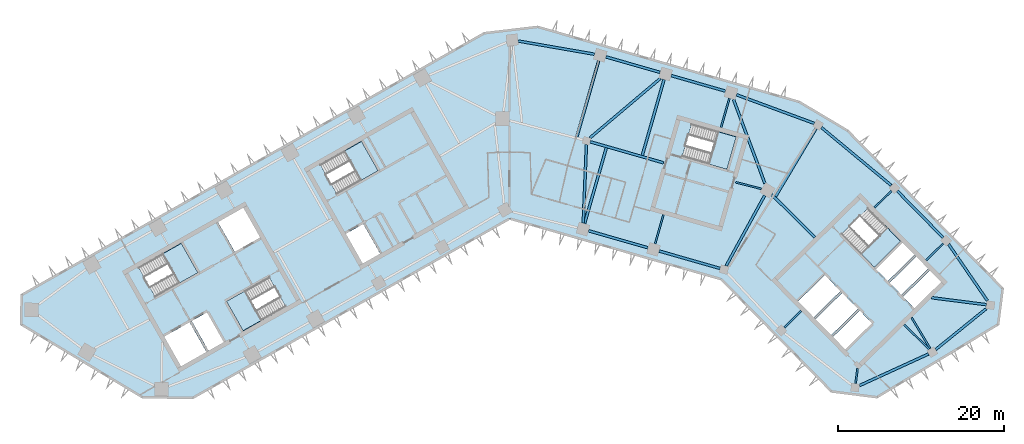
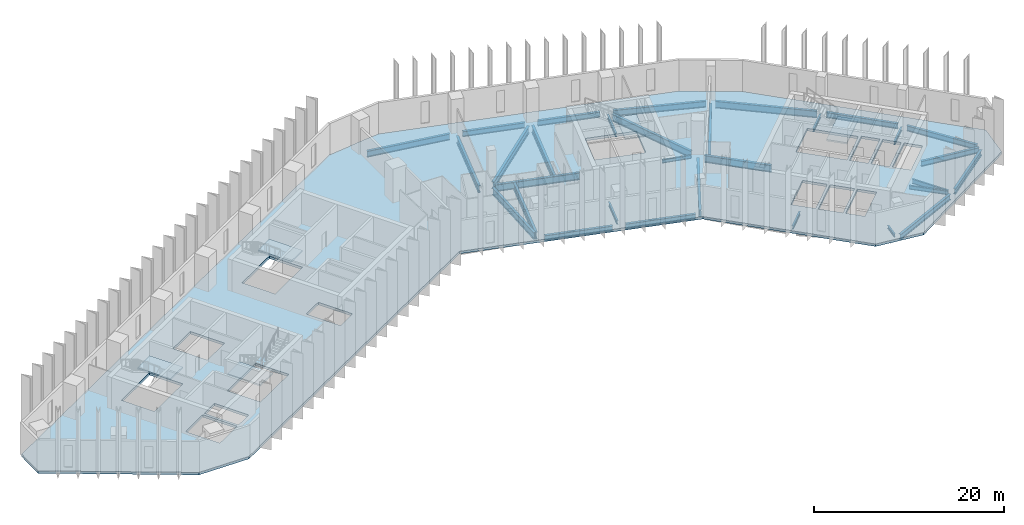
# One storey, part 2 of 11: 31 beams, 6 slabs, 5 elements without a shape of their own.
"""IFC4 building model written with IfcOpenShell, lengths in metres."""

import ifcopenshell
import ifcopenshell.guid

model = None  # the IFC model being written
_history = None  # IfcOwnerHistory: only IFC2X3 demands one
_inside = {}  # id of a spatial element -> (the spatial element, [elements in it])
_under = {}  # id of a project, library or spatial element -> (it, [spatial elements below it])
_declared = {}  # id of a project -> (the project, [libraries it declares])
_typed = {}  # id of a type object -> (the type object, [elements of that type])
_made_of = {}  # id of a material, layer set ... -> (it, [elements and type objects made of it])


def new_model(schema):
    """Start an empty IFC model of exactly this schema.

    Asked for "IFC4X3", IfcOpenShell would pick the latest addendum, in which some entities
    have other attributes; the version numbers below select the first issue.
    IFC2X3 requires an IfcOwnerHistory on every rooted entity: one is made here for all.
    """
    global model, _history
    if schema == "IFC4X3":
        model = ifcopenshell.file(schema_version=(4, 3, 0, 0))
    else:
        model = ifcopenshell.file(schema=schema)
    _inside.clear()
    _under.clear()
    _declared.clear()
    _typed.clear()
    _made_of.clear()
    _history = None
    if model.schema == "IFC2X3":
        org = make("IfcOrganization", Name="unknown")
        user = make(
            "IfcPersonAndOrganization",
            ThePerson=make("IfcPerson", FamilyName="unknown"),
            TheOrganization=org,
        )
        app = make(
            "IfcApplication",
            ApplicationDeveloper=org,
            Version="unknown",
            ApplicationFullName="unknown",
            ApplicationIdentifier="unknown",
        )
        _history = make(
            "IfcOwnerHistory",
            OwningUser=user,
            OwningApplication=app,
            ChangeAction="ADDED",
            CreationDate=0,
        )
    return model


def make(cls, **values):
    """One entity of the class cls with the attributes given. An attribute that is None is left unset."""
    return model.create_entity(
        cls, **{name: value for name, value in values.items() if value is not None}
    )


def rooted(cls, **values):
    """An entity with a GlobalId (a new one), such as an element, a storey or a relation."""
    return make(cls, GlobalId=ifcopenshell.guid.new(), OwnerHistory=_history, **values)


def si_unit(unit_type, name, prefix=None):
    """IfcSIUnit, for example si_unit("LENGTHUNIT", "METRE", prefix="MILLI")."""
    return make("IfcSIUnit", UnitType=unit_type, Prefix=prefix, Name=name)


def assignment(units):
    """IfcUnitAssignment: the units of a project."""
    return None if units is None else make("IfcUnitAssignment", Units=units)


def point(xyz):
    """IfcCartesianPoint."""
    return None if xyz is None else make("IfcCartesianPoint", Coordinates=xyz)


def direction(xyz):
    """IfcDirection."""
    return None if xyz is None else make("IfcDirection", DirectionRatios=xyz)


def frame(location, z_axis=None, x_axis=None):
    """IfcAxis2Placement3D, a coordinate frame: its origin and axes. An axis left out is left unset."""
    return make(
        "IfcAxis2Placement3D",
        Location=point(location),
        Axis=direction(z_axis),
        RefDirection=direction(x_axis),
    )


def frame_2d(location, x_axis=None):
    """IfcAxis2Placement2D, a coordinate frame in the plane: its origin and x axis."""
    return make(
        "IfcAxis2Placement2D", Location=point(location), RefDirection=direction(x_axis)
    )


def origin():
    """The frame at (0, 0, 0) with its axes left unset."""
    return frame((0.0, 0.0, 0.0))


def origin_2d():
    """The frame at (0, 0) in the plane with its x axis left unset."""
    return frame_2d((0.0, 0.0))


def place(relative_to, where):
    """IfcLocalPlacement: puts the frame where relative to a parent placement (None: the world)."""
    return make(
        "IfcLocalPlacement", PlacementRelTo=relative_to, RelativePlacement=where
    )


def context(
    kind, dimensions, precision=None, world=None, true_north=None, identifier=None
):
    """IfcGeometricRepresentationContext, for example the 3D "Model" context."""
    return make(
        "IfcGeometricRepresentationContext",
        ContextIdentifier=identifier,
        ContextType=kind,
        CoordinateSpaceDimension=dimensions,
        Precision=precision,
        WorldCoordinateSystem=world,
        TrueNorth=true_north,
    )


def subcontext(parent, identifier, kind, view, scale=None):
    """IfcGeometricRepresentationSubContext, for example "Body" below "Model"."""
    return make(
        "IfcGeometricRepresentationSubContext",
        ContextIdentifier=identifier,
        ContextType=kind,
        ParentContext=parent,
        TargetScale=scale,
        TargetView=view,
    )


def project(units=None, contexts=None):
    """IfcProject with its units and contexts."""
    return rooted(
        "IfcProject",
        Name="project",
        RepresentationContexts=contexts,
        UnitsInContext=assignment(units),
    )


def spatial(cls, under=None, at=None, **own):
    """A site, building, storey or space (cls), placed at a placement, below another one or the project."""
    s = rooted(cls, ObjectPlacement=at, **own)
    if under is not None:
        _under.setdefault(under.id(), (under, []))[1].append(s)
    return s


def polyline(points):
    """IfcPolyline through the points."""
    return make("IfcPolyline", Points=[point(p) for p in points])


def profile(cls, at=None, kind="AREA", **sizes):
    """A parametric profile (cls). Its sizes go by their IFC names, for example OverallWidth=200.0."""
    return make(cls, ProfileType=kind, Position=at, **sizes)


def i_section(**sizes):
    """IfcIShapeProfileDef."""
    return profile("IfcIShapeProfileDef", **sizes)


def outline(outer, holes=None, kind="AREA"):
    """IfcArbitraryClosedProfileDef: a profile drawn as a closed curve; with holes, ...WithVoids."""
    if holes is None:
        return make("IfcArbitraryClosedProfileDef", ProfileType=kind, OuterCurve=outer)
    return make(
        "IfcArbitraryProfileDefWithVoids",
        ProfileType=kind,
        OuterCurve=outer,
        InnerCurves=holes,
    )


def extrude(swept, where, along, depth):
    """IfcExtrudedAreaSolid: the profile swept, set in the frame where, extruded along a direction by depth."""
    return make(
        "IfcExtrudedAreaSolid",
        SweptArea=swept,
        Position=where,
        ExtrudedDirection=direction(along),
        Depth=depth,
    )


def shape(context_of_items, identifier, shape_type, items):
    """IfcShapeRepresentation: the items that make up one representation, for example the "Body"."""
    return make(
        "IfcShapeRepresentation",
        ContextOfItems=context_of_items,
        RepresentationIdentifier=identifier,
        RepresentationType=shape_type,
        Items=items,
    )


def material(Name=None, Category=None):
    """IfcMaterial."""
    return make("IfcMaterial", Name=Name, Category=Category)


def layer(
    of_material, thickness, ventilated=None, Name=None, Category=None, Priority=None
):
    """IfcMaterialLayer: one layer of a wall or slab, of a material (None: an air gap)."""
    return make(
        "IfcMaterialLayer",
        Material=of_material,
        LayerThickness=thickness,
        IsVentilated=ventilated,
        Name=Name,
        Category=Category,
        Priority=Priority,
    )


def layer_set(layers, Name=None):
    """IfcMaterialLayerSet."""
    return make("IfcMaterialLayerSet", MaterialLayers=layers, LayerSetName=Name)


def material_profile(
    of_material, cross_section, Name=None, Category=None, Priority=None
):
    """IfcMaterialProfile: a cross section and its material."""
    return make(
        "IfcMaterialProfile",
        Name=Name,
        Material=of_material,
        Profile=cross_section,
        Priority=Priority,
        Category=Category,
    )


def profile_set(profiles, Name=None, composite=None):
    """IfcMaterialProfileSet."""
    return make(
        "IfcMaterialProfileSet",
        Name=Name,
        MaterialProfiles=profiles,
        CompositeProfile=composite,
    )


def made_of(thing, what):
    """Note that an element or type object is made of a material, layer set ...; save() writes the relation."""
    if what is not None:
        _made_of.setdefault(what.id(), (what, []))[1].append(thing)
    return thing


def type_object(cls, material=None, **own):
    """A type object (cls), such as IfcWallType, which elements share."""
    return made_of(rooted(cls, **own), material)


def element(
    cls,
    number,
    at=None,
    inside=None,
    cuts=None,
    type_object=None,
    material=None,
    context=None,
    identifier="Body",
    shape_type=None,
    held_by="IfcProductDefinitionShape",
    body=None,
    shapes=None,
    **own,
):
    """One element of the class cls, such as IfcWall. Its Tag is "e" and its number.

    at: its placement. inside: the storey or other place that contains it. cuts: it is an
    opening in that element (IfcRelVoidsElement). A single representation is given by context,
    identifier, shape_type and body (its items); several are given by shapes. held_by: the class
    of the entity that holds the representations. save() writes the other relations.
    """
    e = rooted(cls, Tag="e%d" % number, ObjectPlacement=at, **own)
    if body is not None:
        shapes = [shape(context, identifier, shape_type, body)]
    if shapes is not None:
        e.Representation = make(held_by, Representations=shapes)
    if inside is not None:
        _inside.setdefault(inside.id(), (inside, []))[1].append(e)
    if cuts is not None:
        rooted(
            "IfcRelVoidsElement", RelatingBuildingElement=cuts, RelatedOpeningElement=e
        )
    if type_object is not None:
        _typed.setdefault(type_object.id(), (type_object, []))[1].append(e)
    return made_of(e, material)


def aggregate(whole, parts):
    """IfcRelAggregates: a whole, such as a stair, and the parts it consists of."""
    return rooted("IfcRelAggregates", RelatingObject=whole, RelatedObjects=parts)


def save(model, path):
    """Write the relations noted so far, then the file.

    IfcRelAggregates (storeys below a building ...), IfcRelContainedInSpatialStructure (elements
    in a storey), IfcRelDefinesByType, IfcRelAssociatesMaterial and IfcRelDeclares: one each for
    every whole, place, type object, material and project.
    """
    for whole, parts in _under.values():
        aggregate(whole, parts)
    for where, things in _inside.values():
        rooted(
            "IfcRelContainedInSpatialStructure",
            RelatedElements=things,
            RelatingStructure=where,
        )
    for kind, things in _typed.values():
        rooted("IfcRelDefinesByType", RelatedObjects=things, RelatingType=kind)
    for what, things in _made_of.values():
        rooted("IfcRelAssociatesMaterial", RelatedObjects=things, RelatingMaterial=what)
    for by, libraries in _declared.values():
        rooted("IfcRelDeclares", RelatingContext=by, RelatedDefinitions=libraries)
    model.write(path)


model = new_model("IFC4")

# Units and contexts
model_context = context("Model", 3, precision=1e-05, world=origin(), true_north=direction((0.0, 1.0)))
body_context = subcontext(model_context, "Body", "Model", "MODEL_VIEW")
ifc_project = project(units=[si_unit("LENGTHUNIT", "METRE"), si_unit("AREAUNIT", "SQUARE_METRE"), si_unit("VOLUMEUNIT", "CUBIC_METRE"), si_unit("PLANEANGLEUNIT", "RADIAN"), si_unit("MASSUNIT", "GRAM", prefix="KILO")], contexts=[model_context])

# Site, building, storey
site_placement = place(None, origin())
site = spatial("IfcSite", under=ifc_project, at=site_placement, CompositionType="ELEMENT")
building_placement = place(site_placement, origin())
building = spatial("IfcBuilding", under=site, at=building_placement, Name="Binnacle Exchange Tower", CompositionType="ELEMENT")
storey_placement = place(building_placement, frame((0.0, 0.0, 114.699951171875)))
storey = spatial("IfcBuildingStorey", under=building, at=storey_placement, Name="L23", CompositionType="ELEMENT", Elevation=114.699951171875)

# Beams
ifc_material_1 = material(Name="Steel S355 (SHN355)", Category="steel")
ifc_material_profile_1 = material_profile(ifc_material_1, i_section(OverallWidth=0.300048828125, OverallDepth=0.699951171875, WebThickness=0.012939453125, FlangeThickness=0.02392578125, FilletRadius=0.028076171875, at=origin_2d()), Name="H 700x300x13x24")
ifc_profile_set_1 = profile_set([ifc_material_profile_1], Name="Steel S355 (SHN355)")
beam_type_1 = type_object("IfcBeamType", Name="Edge girder H 700x300x13x24 Steel S355 (SHN355)", PredefinedType="SPANDREL", material=ifc_profile_set_1)
beam_1_placement = place(storey_placement, frame((9.482421875, 46.529296875, -0.669921875), z_axis=(0.961257800717, -0.275650939705, 0.0), x_axis=(0.275650939705, 0.961257800717, 0.0)))
element("IfcBeam", 1, at=beam_1_placement, inside=storey, type_object=beam_type_1, Name="S:BM:edge:L23:030", PredefinedType="SPANDREL", context=body_context, shape_type="SweptSolid", body=[
    extrude(i_section(OverallWidth=0.300048828125, OverallDepth=0.699951171875, WebThickness=0.012939453125, FlangeThickness=0.02392578125, FilletRadius=0.028076171875, at=origin_2d()), origin(), (0.0, 0.0, 1.0), 7.42041015625),
])
beam_2_placement = place(storey_placement, frame((17.961181640625, 44.09814453125, -0.669921875), z_axis=(0.961257524102, -0.275651904325, 0.0), x_axis=(0.275651904325, 0.961257524102, 0.0)))
element("IfcBeam", 2, at=beam_2_placement, inside=storey, type_object=beam_type_1, Name="S:BM:edge:L23:032", PredefinedType="SPANDREL", context=body_context, shape_type="SweptSolid", body=[
    extrude(i_section(OverallWidth=0.300048828125, OverallDepth=0.699951171875, WebThickness=0.012939453125, FlangeThickness=0.02392578125, FilletRadius=0.028076171875, at=origin_2d()), origin(), (0.0, 0.0, 1.0), 7.620361328125),
])
for number, where, z_axis, x_axis, name in (
    (3, (18.073486328125, 65.569091796875, -0.669921875), (-0.961258249907, 0.275649373272, 0.0), (-0.275649373272, -0.961258249907, 0.0), "S:BM:edge:L23:033"),
    (4, (25.9296875, 63.31640625, -0.669921875), (-0.961258249907, 0.275649373272, 0.0), (-0.275649373272, -0.961258249907, 0.0), "S:BM:edge:L23:034"),
):
    element("IfcBeam", number, at=place(storey_placement, frame(where, z_axis=z_axis, x_axis=x_axis)), inside=storey, type_object=beam_type_1, Name=name, PredefinedType="SPANDREL", context=body_context, shape_type="SweptSolid", body=[
        extrude(i_section(OverallWidth=0.300048828125, OverallDepth=0.699951171875, WebThickness=0.012939453125, FlangeThickness=0.02392578125, FilletRadius=0.028076171875, at=origin_2d()), origin(), (0.0, 0.0, 1.0), 6.77294921875),
    ])
beam_3_placement = place(storey_placement, frame((51.20458984375, 32.248291015625, -0.669921875), z_axis=(0.777570349394, 0.628795953981, 0.0), x_axis=(-0.628795953981, 0.777570349394, 0.0)))
element("IfcBeam", 5, at=beam_3_placement, inside=storey, type_object=beam_type_1, Name="S:BM:edge:L23:040", PredefinedType="SPANDREL", context=body_context, shape_type="SweptSolid", body=[
    extrude(i_section(OverallWidth=0.300048828125, OverallDepth=0.699951171875, WebThickness=0.012939453125, FlangeThickness=0.02392578125, FilletRadius=0.028076171875, at=origin_2d()), origin(), (0.0, 0.0, 1.0), 7.788330078125),
])
beam_4_placement = place(storey_placement, frame((52.1162109375, 45.69580078125, -0.669921875), z_axis=(-0.700892629455, 0.713266795789, 0.0), x_axis=(-0.713266795789, -0.700892629455, 0.0)))
element("IfcBeam", 6, at=beam_4_placement, inside=storey, type_object=beam_type_1, Name="S:BM:edge:L23:041", PredefinedType="SPANDREL", context=body_context, shape_type="SweptSolid", body=[
    extrude(i_section(OverallWidth=0.300048828125, OverallDepth=0.699951171875, WebThickness=0.012939453125, FlangeThickness=0.02392578125, FilletRadius=0.028076171875, at=origin_2d()), origin(), (0.0, 0.0, 1.0), 7.872314453125),
])
beam_5_placement = place(storey_placement, frame((57.41943359375, 38.13330078125, -0.669921875), z_axis=(-0.566410561214, 0.824123216604, 0.0), x_axis=(-0.824123216604, -0.566410561214, 0.0)))
element("IfcBeam", 7, at=beam_5_placement, inside=storey, type_object=beam_type_1, Name="S:BM:edge:L23:042", PredefinedType="SPANDREL", context=body_context, shape_type="SweptSolid", body=[
    extrude(i_section(OverallWidth=0.300048828125, OverallDepth=0.699951171875, WebThickness=0.012939453125, FlangeThickness=0.02392578125, FilletRadius=0.028076171875, at=origin_2d()), origin(), (0.0, 0.0, 1.0), 8.236083984375),
])
ifc_material_profile_2 = material_profile(ifc_material_1, i_section(OverallWidth=0.302001953125, OverallDepth=0.7080078125, WebThickness=0.014892578125, FlangeThickness=0.028076171875, FilletRadius=0.028076171875, at=origin_2d()), Name="H 708x302x15x28")
ifc_profile_set_2 = profile_set([ifc_material_profile_2], Name="Steel S355 (SHN355)")
beam_type_2 = type_object("IfcBeamType", Name="Edge girder H 708x302x15x28 Steel S355 (SHN355)", PredefinedType="SPANDREL", material=ifc_profile_set_2)
beam_6_placement = place(storey_placement, frame((42.054931640625, 27.919921875, -0.674072265625), z_axis=(0.909166515566, 0.41643276405, 0.0), x_axis=(-0.41643276405, 0.909166515566, 0.0)))
element("IfcBeam", 8, at=beam_6_placement, inside=storey, type_object=beam_type_2, Name="S:BM:edge:L23:038", PredefinedType="SPANDREL", context=body_context, shape_type="SweptSolid", body=[
    extrude(i_section(OverallWidth=0.302001953125, OverallDepth=0.7080078125, WebThickness=0.014892578125, FlangeThickness=0.028076171875, FilletRadius=0.028076171875, at=origin_2d()), origin(), (0.0, 0.0, 1.0), 9.128662109375),
])
ifc_material_profile_3 = material_profile(ifc_material_1, i_section(OverallWidth=0.300048828125, OverallDepth=0.800048828125, WebThickness=0.013916015625, FlangeThickness=0.02587890625, FilletRadius=0.028076171875, at=origin_2d()), Name="H 800x300x14x26")
ifc_profile_set_3 = profile_set([ifc_material_profile_3], Name="Steel S355 (SHN355)")
beam_type_3 = type_object("IfcBeamType", Name="Edge girder H 800x300x14x26 Steel S355 (SHN355)", PredefinedType="SPANDREL", material=ifc_profile_set_3)
beam_7_placement = place(storey_placement, frame((10.1962890625, 67.749267578125, -0.719970703125), z_axis=(-0.985312784176, 0.170759237931, 0.0), x_axis=(-0.170759237931, -0.985312784176, 0.0)))
element("IfcBeam", 9, at=beam_7_placement, inside=storey, type_object=beam_type_3, Name="S:BM:edge:L23:031", PredefinedType="SPANDREL", context=body_context, shape_type="SweptSolid", body=[
    extrude(i_section(OverallWidth=0.300048828125, OverallDepth=0.800048828125, WebThickness=0.013916015625, FlangeThickness=0.02587890625, FilletRadius=0.028076171875, at=origin_2d()), origin(), (0.0, 0.0, 1.0), 9.313232421875),
])
ifc_material_profile_4 = material_profile(ifc_material_1, i_section(OverallWidth=0.302001953125, OverallDepth=0.80810546875, WebThickness=0.01611328125, FlangeThickness=0.030029296875, FilletRadius=0.028076171875, at=origin_2d()), Name="H 808x302x16x30")
ifc_profile_set_4 = profile_set([ifc_material_profile_4], Name="Steel S355 (SHN355)")
beam_type_4 = type_object("IfcBeamType", Name="Edge girder H 808x302x16x30 Steel S355 (SHN355)", PredefinedType="SPANDREL", material=ifc_profile_set_4)
beam_8_placement = place(storey_placement, frame((36.60791015625, 59.438232421875, -0.723876953125), z_axis=(-0.938371988478, 0.3456269828, 0.0), x_axis=(-0.3456269828, -0.938371988478, 0.0)))
element("IfcBeam", 10, at=beam_8_placement, inside=storey, type_object=beam_type_4, Name="S:BM:edge:L23:037", PredefinedType="SPANDREL", context=body_context, shape_type="SweptSolid", body=[
    extrude(i_section(OverallWidth=0.302001953125, OverallDepth=0.80810546875, WebThickness=0.01611328125, FlangeThickness=0.030029296875, FilletRadius=0.028076171875, at=origin_2d()), origin(), (0.0, 0.0, 1.0), 9.96044921875),
])
ifc_material_profile_5 = material_profile(ifc_material_1, i_section(OverallWidth=0.300048828125, OverallDepth=0.89990234375, WebThickness=0.01611328125, FlangeThickness=0.028076171875, FilletRadius=0.028076171875, at=origin_2d()), Name="H 900x300x16x28")
ifc_profile_set_5 = profile_set([ifc_material_profile_5], Name="Steel S355 (SHN355)")
beam_type_5 = type_object("IfcBeamType", Name="Edge girder H 900x300x16x28 Steel S355 (SHN355)", PredefinedType="SPANDREL", material=ifc_profile_set_5)
beam_9_placement = place(storey_placement, frame((45.861083984375, 51.988037109375, -0.77001953125), z_axis=(-0.769903256509, 0.63816061898, 0.0), x_axis=(-0.63816061898, -0.769903256509, 0.0)))
element("IfcBeam", 11, at=beam_9_placement, inside=storey, type_object=beam_type_5, Name="S:BM:edge:L23:039", PredefinedType="SPANDREL", context=body_context, shape_type="SweptSolid", body=[
    extrude(i_section(OverallWidth=0.300048828125, OverallDepth=0.89990234375, WebThickness=0.01611328125, FlangeThickness=0.028076171875, FilletRadius=0.028076171875, at=origin_2d()), origin(), (0.0, 0.0, 1.0), 10.892822265625),
])
ifc_material_profile_6 = material_profile(ifc_material_1, i_section(OverallWidth=0.199951171875, OverallDepth=0.39990234375, WebThickness=0.008056640625, FlangeThickness=0.012939453125, FilletRadius=0.01611328125, at=origin_2d()), Name="H 400x200x8x13")
ifc_profile_set_6 = profile_set([ifc_material_profile_6], Name="Steel S355 (SHN355)")
beam_type_6 = type_object("IfcBeamType", Name="Floor beam H 400x200x8x13 Steel S355 (SHN355)", PredefinedType="BEAM", material=ifc_profile_set_6)
beam_10_placement = place(storey_placement, frame((41.582763671875, 28.1708984375, -0.52001953125), z_axis=(0.12626620762, 0.991996393549, 0.0), x_axis=(-0.991996393549, 0.12626620762, 0.0)))
element("IfcBeam", 12, at=beam_10_placement, inside=storey, type_object=beam_type_6, Name="S:BM:cross:L23:063", PredefinedType="BEAM", context=body_context, shape_type="SweptSolid", body=[
    extrude(i_section(OverallWidth=0.199951171875, OverallDepth=0.39990234375, WebThickness=0.008056640625, FlangeThickness=0.012939453125, FilletRadius=0.01611328125, at=origin_2d()), origin(), (0.0, 0.0, 1.0), 1.8310546875),
])
ifc_material_profile_7 = material_profile(ifc_material_1, i_section(OverallWidth=0.199951171875, OverallDepth=0.449951171875, WebThickness=0.009033203125, FlangeThickness=0.013916015625, FilletRadius=0.01806640625, at=origin_2d()), Name="H 450x200x9x14")
ifc_profile_set_7 = profile_set([ifc_material_profile_7], Name="Steel S355 (SHN355)")
beam_type_7 = type_object("IfcBeamType", Name="Floor beam H 450x200x9x14 Steel S355 (SHN355)", PredefinedType="BEAM", material=ifc_profile_set_7)
for number, where, z_axis, x_axis, name in (
    (13, (32.997802734375, 34.880615234375, -0.544921875), (0.713272005304, 0.700887327928, 0.0), (-0.700887327928, 0.713272005304, 0.0), "S:BM:cross:L23:061"),
    (14, (45.8916015625, 51.31689453125, -0.544921875), (-0.713272005304, -0.700887327928, 0.0), (0.700887327928, -0.713272005304, 0.0), "S:BM:cross:L23:064"),
    (15, (52.110107421875, 44.98876953125, -0.544921875), (-0.713272005304, -0.700887327928, 0.0), (0.700887327928, -0.713272005304, 0.0), "S:BM:cross:L23:066"),
):
    element("IfcBeam", number, at=place(storey_placement, frame(where, z_axis=z_axis, x_axis=x_axis)), inside=storey, type_object=beam_type_7, Name=name, PredefinedType="BEAM", context=body_context, shape_type="SweptSolid", body=[
        extrude(i_section(OverallWidth=0.199951171875, OverallDepth=0.449951171875, WebThickness=0.009033203125, FlangeThickness=0.013916015625, FilletRadius=0.01806640625, at=origin_2d()), origin(), (0.0, 0.0, 1.0), 2.8583984375),
    ])
ifc_material_profile_8 = material_profile(ifc_material_1, i_section(OverallWidth=0.200927734375, OverallDepth=0.506103515625, WebThickness=0.010986328125, FlangeThickness=0.01904296875, FilletRadius=0.02001953125, at=origin_2d()), Name="H 506x201x11x19")
ifc_profile_set_8 = profile_set([ifc_material_profile_8], Name="Steel S355 (SHN355)")
beam_type_8 = type_object("IfcBeamType", Name="Floor beam H 506x201x11x19 Steel S355 (SHN355)", PredefinedType="BEAM", material=ifc_profile_set_8)
beam_11_placement = place(storey_placement, frame((17.481201171875, 44.964111328125, -0.572998046875), z_axis=(0.275643564404, 0.961259915633, 0.0), x_axis=(-0.961259915633, 0.275643564404, 0.0)))
element("IfcBeam", 16, at=beam_11_placement, inside=storey, type_object=beam_type_8, Name="S:BM:cross:L23:058", PredefinedType="BEAM", context=body_context, shape_type="SweptSolid", body=[
    extrude(i_section(OverallWidth=0.200927734375, OverallDepth=0.506103515625, WebThickness=0.010986328125, FlangeThickness=0.01904296875, FilletRadius=0.02001953125, at=origin_2d()), origin(), (0.0, 0.0, 1.0), 3.635009765625),
])
beam_12_placement = place(storey_placement, frame((26.409912109375, 62.45068359375, -0.572998046875), z_axis=(-0.275687825643, -0.961247222515, 0.0), x_axis=(0.961247222515, -0.275687825643, 0.0)))
element("IfcBeam", 17, at=beam_12_placement, inside=storey, type_object=beam_type_8, Name="S:BM:cross:L23:060", PredefinedType="BEAM", context=body_context, shape_type="SweptSolid", body=[
    extrude(i_section(OverallWidth=0.200927734375, OverallDepth=0.506103515625, WebThickness=0.010986328125, FlangeThickness=0.01904296875, FilletRadius=0.02001953125, at=origin_2d()), origin(), (0.0, 0.0, 1.0), 3.63525390625),
])
ifc_material_profile_9 = material_profile(ifc_material_1, i_section(OverallWidth=0.199951171875, OverallDepth=0.60009765625, WebThickness=0.010986328125, FlangeThickness=0.01708984375, FilletRadius=0.02197265625, at=origin_2d()), Name="H 600x200x11x17")
ifc_profile_set_9 = profile_set([ifc_material_profile_9], Name="Steel S355 (SHN355)")
beam_type_9 = type_object("IfcBeamType", Name="Floor beam H 600x200x11x17 Steel S355 (SHN355)", PredefinedType="BEAM", material=ifc_profile_set_9)
beam_13_placement = place(storey_placement, frame((50.554443359375, 32.359619140625, -0.619873046875), z_axis=(-0.515054637465, 0.857157348697, 0.0), x_axis=(-0.857157348697, -0.515054637465, 0.0)))
element("IfcBeam", 18, at=beam_13_placement, inside=storey, type_object=beam_type_9, Name="S:BM:cross:L23:065", PredefinedType="BEAM", context=body_context, shape_type="SweptSolid", body=[
    extrude(i_section(OverallWidth=0.199951171875, OverallDepth=0.60009765625, WebThickness=0.010986328125, FlangeThickness=0.01708984375, FilletRadius=0.02197265625, at=origin_2d()), origin(), (0.0, 0.0, 1.0), 4.367431640625),
])
ifc_material_profile_10 = material_profile(ifc_material_1, i_section(OverallWidth=0.300048828125, OverallDepth=0.699951171875, WebThickness=0.012939453125, FlangeThickness=0.02392578125, FilletRadius=0.028076171875, at=origin_2d()), Name="H 700x300x13x24")
ifc_profile_set_10 = profile_set([ifc_material_profile_10], Name="Steel S355 (SHN355)")
beam_type_10 = type_object("IfcBeamType", Name="Floor beam H 700x300x13x24 Steel S355 (SHN355)", PredefinedType="BEAM", material=ifc_profile_set_10)
beam_14_placement = place(storey_placement, frame((57.302978515625, 37.64404296875, -0.669921875), z_axis=(-0.992004198178, 0.12620487628, 0.0), x_axis=(-0.12620487628, -0.992004198178, 0.0)))
element("IfcBeam", 19, at=beam_14_placement, inside=storey, type_object=beam_type_10, Name="S:BM:cross:L23:067", PredefinedType="BEAM", context=body_context, shape_type="SweptSolid", body=[
    extrude(i_section(OverallWidth=0.300048828125, OverallDepth=0.699951171875, WebThickness=0.012939453125, FlangeThickness=0.02392578125, FilletRadius=0.028076171875, at=origin_2d()), origin(), (0.0, 0.0, 1.0), 6.63134765625),
])
ifc_material_profile_11 = material_profile(ifc_material_1, i_section(OverallWidth=0.302978515625, OverallDepth=0.91796875, WebThickness=0.01904296875, FlangeThickness=0.037109375, FilletRadius=0.028076171875, at=origin_2d()), Name="H 918x303x19x37")
ifc_profile_set_11 = profile_set([ifc_material_profile_11], Name="Steel S355 (SHN355)")
beam_type_11 = type_object("IfcBeamType", Name="Floor beam H 918x303x19x37 Steel S355 (SHN355)", PredefinedType="BEAM", material=ifc_profile_set_11)
beam_15_placement = place(storey_placement, frame((9.00244140625, 47.395263671875, -0.779052734375), z_axis=(0.275642274849, 0.961260285415, 0.0), x_axis=(-0.961260285415, 0.275642274849, 0.0)))
element("IfcBeam", 20, at=beam_15_placement, inside=storey, type_object=beam_type_11, Name="S:BM:cross:L23:056", PredefinedType="BEAM", context=body_context, shape_type="SweptSolid", body=[
    extrude(i_section(OverallWidth=0.302978515625, OverallDepth=0.91796875, WebThickness=0.01904296875, FlangeThickness=0.037109375, FilletRadius=0.028076171875, at=origin_2d()), origin(), (0.0, 0.0, 1.0), 9.485107421875),
])
beam_16_placement = place(storey_placement, frame((10.697021484375, 66.9560546875, -0.779052734375), z_axis=(-0.27562260808, -0.961265924661, 0.0), x_axis=(0.961265924661, -0.27562260808, 0.0)))
element("IfcBeam", 21, at=beam_16_placement, inside=storey, type_object=beam_type_11, Name="S:BM:cross:L23:057", PredefinedType="BEAM", context=body_context, shape_type="SweptSolid", body=[
    extrude(i_section(OverallWidth=0.302978515625, OverallDepth=0.91796875, WebThickness=0.01904296875, FlangeThickness=0.037109375, FilletRadius=0.028076171875, at=origin_2d()), origin(), (0.0, 0.0, 1.0), 9.51318359375),
])
beam_17_placement = place(storey_placement, frame((18.553466796875, 64.703369140625, -0.779052734375), z_axis=(-0.275642274849, -0.961260285415, 0.0), x_axis=(0.961260285415, -0.275642274849, 0.0)))
element("IfcBeam", 22, at=beam_17_placement, inside=storey, type_object=beam_type_11, Name="S:BM:cross:L23:059", PredefinedType="BEAM", context=body_context, shape_type="SweptSolid", body=[
    extrude(i_section(OverallWidth=0.302978515625, OverallDepth=0.91796875, WebThickness=0.01904296875, FlangeThickness=0.037109375, FilletRadius=0.028076171875, at=origin_2d()), origin(), (0.0, 0.0, 1.0), 9.485107421875),
])
beam_18_placement = place(storey_placement, frame((36.829345703125, 58.832763671875, -0.779052734375), z_axis=(-0.51129570724, -0.859404852068, 0.0), x_axis=(0.859404852068, -0.51129570724, 0.0)))
element("IfcBeam", 23, at=beam_18_placement, inside=storey, type_object=beam_type_11, Name="S:BM:cross:L23:062", PredefinedType="BEAM", context=body_context, shape_type="SweptSolid", body=[
    extrude(i_section(OverallWidth=0.302978515625, OverallDepth=0.91796875, WebThickness=0.01904296875, FlangeThickness=0.037109375, FilletRadius=0.028076171875, at=origin_2d()), origin(), (0.0, 0.0, 1.0), 9.5361328125),
])
ifc_material_profile_12 = material_profile(ifc_material_1, i_section(OverallWidth=0.199951171875, OverallDepth=0.449951171875, WebThickness=0.009033203125, FlangeThickness=0.013916015625, FilletRadius=0.01806640625, at=origin_2d()), Name="H 450x200x9x14")
ifc_profile_set_12 = profile_set([ifc_material_profile_12], Name="Steel S355 (SHN355)")
beam_type_12 = type_object("IfcBeamType", Name="Spine girder H 450x200x9x14 Steel S355 (SHN355)", PredefinedType="BEAM", material=ifc_profile_set_12)
beam_19_placement = place(storey_placement, frame((27.17138671875, 52.35400390625, -0.544921875), z_axis=(0.969348404361, -0.245690193055, 0.0), x_axis=(0.245690193055, 0.969348404361, 0.0)))
element("IfcBeam", 24, at=beam_19_placement, inside=storey, type_object=beam_type_12, Name="S:BM:spine:L23:010", PredefinedType="BEAM", context=body_context, shape_type="SweptSolid", body=[
    extrude(i_section(OverallWidth=0.199951171875, OverallDepth=0.449951171875, WebThickness=0.009033203125, FlangeThickness=0.013916015625, FilletRadius=0.01806640625, at=origin_2d()), origin(), (0.0, 0.0, 1.0), 3.20361328125),
])
ifc_material_profile_13 = material_profile(ifc_material_1, i_section(OverallWidth=0.200927734375, OverallDepth=0.506103515625, WebThickness=0.010986328125, FlangeThickness=0.01904296875, FilletRadius=0.02001953125, at=origin_2d()), Name="H 506x201x11x19")
ifc_profile_set_13 = profile_set([ifc_material_profile_13], Name="Steel S355 (SHN355)")
beam_type_13 = type_object("IfcBeamType", Name="Spine girder H 506x201x11x19 Steel S355 (SHN355)", PredefinedType="BEAM", material=ifc_profile_set_13)
beam_20_placement = place(storey_placement, frame((47.417236328125, 35.23095703125, -0.572998046875), z_axis=(0.71705117811, -0.697020521915, 0.0), x_axis=(0.697020521915, 0.71705117811, 0.0)))
element("IfcBeam", 25, at=beam_20_placement, inside=storey, type_object=beam_type_13, Name="S:BM:spine:L23:014", PredefinedType="BEAM", context=body_context, shape_type="SweptSolid", body=[
    extrude(i_section(OverallWidth=0.200927734375, OverallDepth=0.506103515625, WebThickness=0.010986328125, FlangeThickness=0.01904296875, FilletRadius=0.02001953125, at=origin_2d()), origin(), (0.0, 0.0, 1.0), 4.21728515625),
])
ifc_material_profile_14 = material_profile(ifc_material_1, i_section(OverallWidth=0.300048828125, OverallDepth=0.89990234375, WebThickness=0.01611328125, FlangeThickness=0.028076171875, FilletRadius=0.028076171875, at=origin_2d()), Name="H 900x300x16x28")
ifc_profile_set_14 = profile_set([ifc_material_profile_14], Name="Steel S355 (SHN355)")
beam_type_14 = type_object("IfcBeamType", Name="Spine girder H 900x300x16x28 Steel S355 (SHN355)", PredefinedType="BEAM", material=ifc_profile_set_14)
beam_21_placement = place(storey_placement, frame((9.22216796875, 56.887451171875, -0.77001953125), z_axis=(-0.040573469093, -0.999176557774, 0.0), x_axis=(0.999176557774, -0.040573469093, 0.0)))
element("IfcBeam", 26, at=beam_21_placement, inside=storey, type_object=beam_type_14, Name="S:BM:spine:L23:007", PredefinedType="BEAM", context=body_context, shape_type="SweptSolid", body=[
    extrude(i_section(OverallWidth=0.300048828125, OverallDepth=0.89990234375, WebThickness=0.01611328125, FlangeThickness=0.028076171875, FilletRadius=0.028076171875, at=origin_2d()), origin(), (0.0, 0.0, 1.0), 9.453125),
])
beam_22_placement = place(storey_placement, frame((30.65234375, 50.771484375, -0.77001953125), z_axis=(-0.480722811784, -0.876872612316, 0.0), x_axis=(0.876872612316, -0.480722811784, 0.0)))
element("IfcBeam", 27, at=beam_22_placement, inside=storey, type_object=beam_type_14, Name="S:BM:spine:L23:011", PredefinedType="BEAM", context=body_context, shape_type="SweptSolid", body=[
    extrude(i_section(OverallWidth=0.300048828125, OverallDepth=0.89990234375, WebThickness=0.01611328125, FlangeThickness=0.028076171875, FilletRadius=0.028076171875, at=origin_2d()), origin(), (0.0, 0.0, 1.0), 9.650390625),
])
ifc_material_profile_15 = material_profile(ifc_material_1, i_section(OverallWidth=0.302978515625, OverallDepth=0.91796875, WebThickness=0.01904296875, FlangeThickness=0.037109375, FilletRadius=0.028076171875, at=origin_2d()), Name="H 918x303x19x37")
ifc_profile_set_15 = profile_set([ifc_material_profile_15], Name="Steel S355 (SHN355)")
beam_type_15 = type_object("IfcBeamType", Name="Spine girder H 918x303x19x37 Steel S355 (SHN355)", PredefinedType="BEAM", material=ifc_profile_set_15)
beam_23_placement = place(storey_placement, frame((9.65478515625, 57.69970703125, -0.779052734375), z_axis=(0.764067648684, 0.645136131552, 0.0), x_axis=(-0.645136131552, 0.764067648684, 0.0)))
element("IfcBeam", 28, at=beam_23_placement, inside=storey, type_object=beam_type_15, Name="S:BM:spine:L23:008", PredefinedType="BEAM", context=body_context, shape_type="SweptSolid", body=[
    extrude(i_section(OverallWidth=0.302978515625, OverallDepth=0.91796875, WebThickness=0.01904296875, FlangeThickness=0.037109375, FilletRadius=0.028076171875, at=origin_2d()), origin(), (0.0, 0.0, 1.0), 11.056396484375),
])
beam_24_placement = place(storey_placement, frame((9.673583984375, 57.226318359375, -0.779052734375), z_axis=(0.961256048299, -0.275657050715, 0.0), x_axis=(0.275657050715, 0.961256048299, 0.0)))
element("IfcBeam", 29, at=beam_24_placement, inside=storey, type_object=beam_type_15, Name="S:BM:spine:L23:009", PredefinedType="BEAM", context=body_context, shape_type="SweptSolid", body=[
    extrude(i_section(OverallWidth=0.302978515625, OverallDepth=0.91796875, WebThickness=0.01904296875, FlangeThickness=0.037109375, FilletRadius=0.028076171875, at=origin_2d()), origin(), (0.0, 0.0, 1.0), 9.1630859375),
])
beam_25_placement = place(storey_placement, frame((30.6806640625, 52.212890625, -0.779052734375), z_axis=(-0.350112820386, 0.93670753867, 0.0), x_axis=(-0.93670753867, -0.350112820386, 0.0)))
element("IfcBeam", 30, at=beam_25_placement, inside=storey, type_object=beam_type_15, Name="S:BM:spine:L23:012", PredefinedType="BEAM", context=body_context, shape_type="SweptSolid", body=[
    extrude(i_section(OverallWidth=0.302978515625, OverallDepth=0.91796875, WebThickness=0.01904296875, FlangeThickness=0.037109375, FilletRadius=0.028076171875, at=origin_2d()), origin(), (0.0, 0.0, 1.0), 10.777099609375),
])
beam_26_placement = place(storey_placement, frame((31.499755859375, 50.8818359375, -0.779052734375), z_axis=(0.710998016372, -0.703194013566, 0.0), x_axis=(0.703194013566, 0.710998016372, 0.0)))
element("IfcBeam", 31, at=beam_26_placement, inside=storey, type_object=beam_type_15, Name="S:BM:spine:L23:013", PredefinedType="BEAM", context=body_context, shape_type="SweptSolid", body=[
    extrude(i_section(OverallWidth=0.302978515625, OverallDepth=0.91796875, WebThickness=0.01904296875, FlangeThickness=0.037109375, FilletRadius=0.028076171875, at=origin_2d()), origin(), (0.0, 0.0, 1.0), 7.320556640625),
])

# Slab
ifc_material_2 = material(Name="Concrete C35/45", Category="concrete")
ifc_layer_1 = layer(ifc_material_2, 0.320068359375)
ifc_layer_set_1 = layer_set([ifc_layer_1], Name="Floor slab 320 Concrete C35/45")
slab_type_1 = type_object("IfcSlabType", Name="Floor slab 320 Concrete C35/45", PredefinedType="FLOOR", material=ifc_layer_set_1)
slab_1_placement = place(storey_placement, frame((0.0, 0.0, -0.320068359375)))
element("IfcSlab", 32, at=slab_1_placement, inside=storey, type_object=slab_type_1, Name="S:SL:L23:01", PredefinedType="FLOOR", context=body_context, shape_type="SweptSolid", body=[
    extrude(outline(polyline([(59.262939453125, 39.5791015625), (58.716064453125, 35.280029296875), (44.14404296875, 26.5244140625), (38.69091796875, 27.21826171875), (25.43603515625, 40.706298828125), (0.0, 48.0), (-38.097900390625, 26.4453125), (-44.14404296875, 26.5244140625), (-58.716064453125, 35.280029296875), (-58.669921875, 38.80615234375), (-3.046142578125, 70.276611328125), (3.364501953125, 71.035400390625), (34.789794921875, 62.024169921875), (40.607421875, 58.56298828125), (59.262939453125, 39.5791015625)]), holes=[polyline([(-38.4794921875, 35.529296875), (-41.61279296875, 33.756591796875), (-39.544677734375, 30.10107421875), (-36.411376953125, 31.873779296875), (-38.4794921875, 35.529296875)]), polyline([(-34.322509765625, 33.0556640625), (-36.390625, 36.711181640625), (-38.21826171875, 35.677001953125), (-36.150146484375, 32.021484375), (-34.322509765625, 33.0556640625)]), polyline([(-34.040771484375, 38.04052734375), (-32.04638671875, 34.515625), (-26.9287109375, 37.4111328125), (-28.923095703125, 40.93603515625), (-34.040771484375, 38.04052734375)]), polyline([(-37.486572265625, 41.4912109375), (-39.480712890625, 45.01611328125), (-44.598388671875, 42.12060546875), (-42.604248046875, 38.595703125), (-37.486572265625, 41.4912109375)]), polyline([(-15.53076171875, 43.6875), (-17.598876953125, 47.343017578125), (-19.77490234375, 46.11181640625), (-17.70654296875, 42.456298828125), (-15.53076171875, 43.6875)]), polyline([(-29.914306640625, 45.775390625), (-31.982666015625, 49.430908203125), (-35.115966796875, 47.657958984375), (-33.047607421875, 44.00244140625), (-29.914306640625, 45.775390625)]), polyline([(-15.822509765625, 53.748046875), (-17.81689453125, 57.27294921875), (-22.760498046875, 54.47607421875), (-20.76611328125, 50.950927734375), (-15.822509765625, 53.748046875)]), polyline([(26.111328125, 53.9169921875), (27.227783203125, 57.810302734375), (21.864013671875, 59.348388671875), (20.74755859375, 55.455078125), (26.111328125, 53.9169921875)]), polyline([(40.268798828125, 32.201904296875), (43.549560546875, 35.426025390625), (42.07763671875, 36.923828125), (38.796875, 33.69970703125), (40.268798828125, 32.201904296875)]), polyline([(38.58642578125, 33.913818359375), (41.867431640625, 37.137939453125), (39.97509765625, 39.063720703125), (36.694091796875, 35.83935546875), (38.58642578125, 33.913818359375)]), polyline([(36.48388671875, 36.053466796875), (39.7646484375, 39.277587890625), (37.872314453125, 41.203369140625), (34.59130859375, 37.979248046875), (36.48388671875, 36.053466796875)]), polyline([(48.726806640625, 37.148681640625), (52.0078125, 40.372802734375), (50.577880859375, 41.827880859375), (47.296875, 38.603759765625), (48.726806640625, 37.148681640625)]), polyline([(47.086669921875, 38.817626953125), (50.36767578125, 42.0419921875), (48.944580078125, 43.48974609375), (45.663818359375, 40.265625), (47.086669921875, 38.817626953125)]), polyline([(45.45361328125, 40.4794921875), (48.734375, 43.703857421875), (47.3115234375, 45.151611328125), (44.030517578125, 41.927490234375), (45.45361328125, 40.4794921875)]), polyline([(43.8203125, 42.141357421875), (46.994384765625, 45.260498046875), (43.083251953125, 49.240478515625), (39.9091796875, 46.121337890625), (43.8203125, 42.141357421875)])]), origin(), (0.0, 0.0, 1.0), 0.320068359375),
])

# Stair, slab
stair_type = type_object("IfcStairType", Name="STAIR 26 RISERS 169", PredefinedType="HALF_TURN_STAIR", material=ifc_material_2)
stair_1_placement = place(storey_placement, origin())
stair_1 = element("IfcStair", 33, at=stair_1_placement, inside=storey, type_object=stair_type, Name="L23 Escape stair A1", PredefinedType="HALF_TURN_STAIR")
ifc_layer_2 = layer(ifc_material_2, 0.199951171875)
ifc_layer_set_2 = layer_set([ifc_layer_2], Name="STAIR LANDING 200")
slab_type_2 = type_object("IfcSlabType", Name="STAIR LANDING 200", PredefinedType="LANDING", material=ifc_layer_set_2)
slab_2_placement = place(storey_placement, frame((0.0, 0.0, 2.0)))
slab_2 = element("IfcSlab", 34, at=slab_2_placement, type_object=slab_type_2, Name="STA1 landing 1", PredefinedType="LANDING", context=body_context, shape_type="SweptSolid", body=[
    extrude(outline(polyline([(-39.714599609375, 40.23046875), (-37.486572265625, 41.4912109375), (-39.48095703125, 45.01611328125), (-41.708984375, 43.755615234375), (-39.714599609375, 40.23046875)])), origin(), (0.0, 0.0, 1.0), 0.199951171875),
])
aggregate(stair_1, [slab_2])

stair_2_placement = place(storey_placement, origin())
stair_2 = element("IfcStair", 35, at=stair_2_placement, inside=storey, type_object=stair_type, Name="L23 Escape stair A2", PredefinedType="HALF_TURN_STAIR")
slab_3_placement = place(storey_placement, frame((0.0, 0.0, 2.0)))
slab_3 = element("IfcSlab", 36, at=slab_3_placement, type_object=slab_type_2, Name="STA2 landing 1", PredefinedType="LANDING", context=body_context, shape_type="SweptSolid", body=[
    extrude(outline(polyline([(-31.8125, 39.30126953125), (-34.040771484375, 38.04052734375), (-32.04638671875, 34.515625), (-29.818359375, 35.7763671875), (-31.8125, 39.30126953125)])), origin(), (0.0, 0.0, 1.0), 0.199951171875),
])
aggregate(stair_2, [slab_3])

stair_3_placement = place(storey_placement, origin())
stair_3 = element("IfcStair", 37, at=stair_3_placement, inside=storey, type_object=stair_type, Name="L23 Escape stair B1", PredefinedType="HALF_TURN_STAIR")
slab_4_placement = place(storey_placement, frame((0.0, 0.0, 2.0)))
slab_4 = element("IfcSlab", 38, at=slab_4_placement, type_object=slab_type_2, Name="STB1 landing 1", PredefinedType="LANDING", context=body_context, shape_type="SweptSolid", body=[
    extrude(outline(polyline([(42.236328125, 43.75341796875), (43.8203125, 42.141357421875), (46.994384765625, 45.260498046875), (45.410400390625, 46.872314453125), (42.236328125, 43.75341796875)])), origin(), (0.0, 0.0, 1.0), 0.199951171875),
])
aggregate(stair_3, [slab_4])

stair_4_placement = place(storey_placement, origin())
stair_4 = element("IfcStair", 39, at=stair_4_placement, inside=storey, type_object=stair_type, Name="L23 Escape stair C1", PredefinedType="HALF_TURN_STAIR")
slab_5_placement = place(storey_placement, frame((0.0, 0.0, 2.0)))
slab_5 = element("IfcSlab", 40, at=slab_5_placement, type_object=slab_type_2, Name="STC1 landing 1", PredefinedType="LANDING", context=body_context, shape_type="SweptSolid", body=[
    extrude(outline(polyline([(-17.876708984375, 52.5859375), (-15.822509765625, 53.748046875), (-17.81689453125, 57.27294921875), (-19.870849609375, 56.11083984375), (-17.876708984375, 52.5859375)])), origin(), (0.0, 0.0, 1.0), 0.199951171875),
])
aggregate(stair_4, [slab_5])

stair_5_placement = place(storey_placement, origin())
stair_5 = element("IfcStair", 41, at=stair_5_placement, inside=storey, type_object=stair_type, Name="L23 Escape stair D1", PredefinedType="HALF_TURN_STAIR")
slab_6_placement = place(storey_placement, frame((0.0, 0.0, 2.0)))
slab_6 = element("IfcSlab", 42, at=slab_6_placement, type_object=slab_type_2, Name="STD1 landing 1", PredefinedType="LANDING", context=body_context, shape_type="SweptSolid", body=[
    extrude(outline(polyline([(23.93896484375, 54.5400390625), (26.111328125, 53.917236328125), (27.227783203125, 57.810302734375), (25.05517578125, 58.43310546875), (23.93896484375, 54.5400390625)])), origin(), (0.0, 0.0, 1.0), 0.199951171875),
])
aggregate(stair_5, [slab_6])

save(model, "model.ifc")
